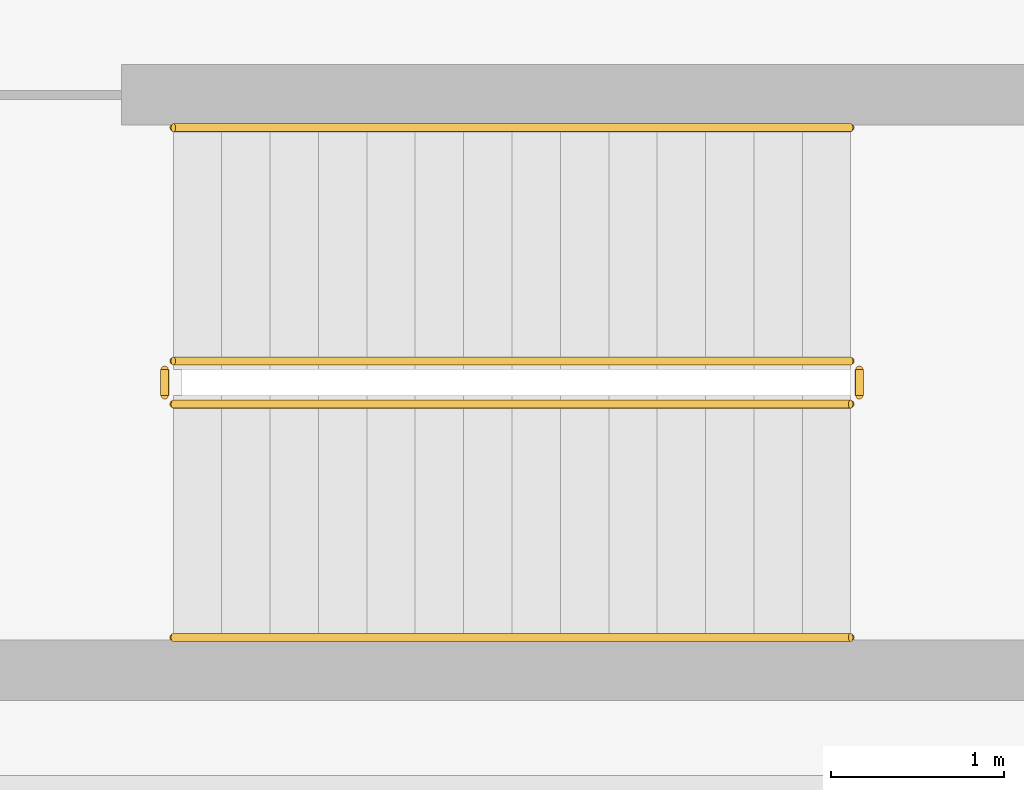
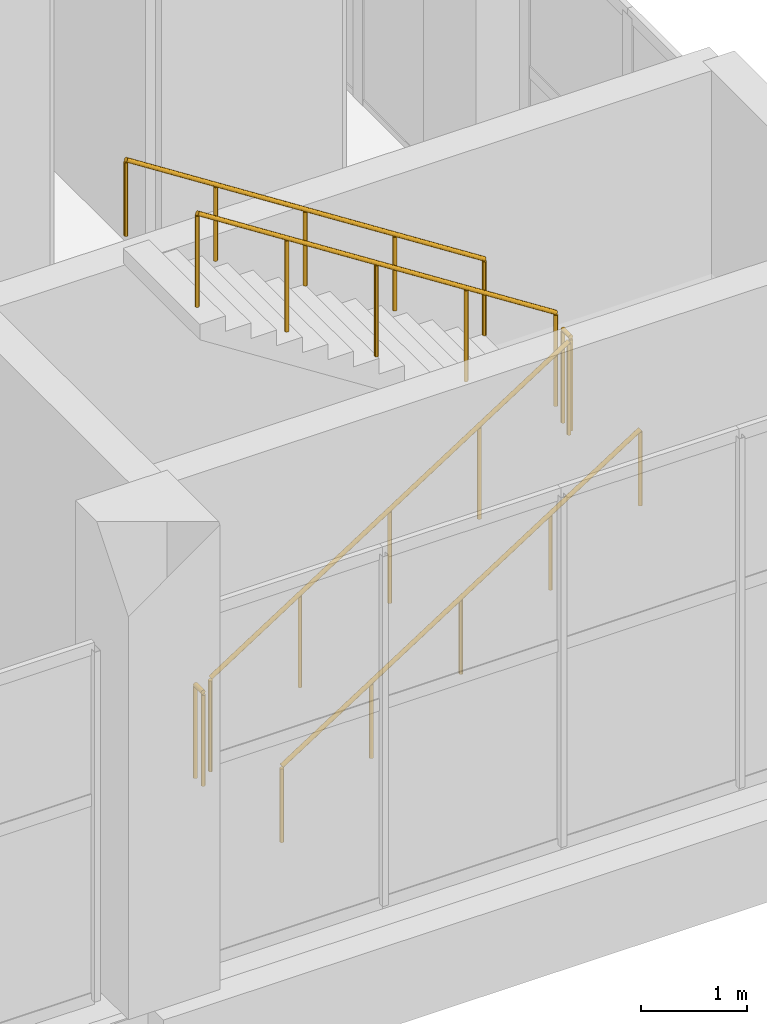
# One storey, part 141 of 147: 6 railings.
"""IFC4 building model written with IfcOpenShell, lengths in metres."""

from ifc_helpers import new_model, si_unit, direction, frame, origin, origin_2d, place, context, subcontext, project, spatial, circle, extrude, material, type_object, element, save


model = new_model("IFC4")

# Units and contexts
model_context = context("Model", 3, precision=1e-05, world=origin(), true_north=direction((0.0, 1.0)))
body_context = subcontext(model_context, "Body", "Model", "MODEL_VIEW")
ifc_project = project(units=[si_unit("LENGTHUNIT", "METRE"), si_unit("AREAUNIT", "SQUARE_METRE"), si_unit("VOLUMEUNIT", "CUBIC_METRE"), si_unit("PLANEANGLEUNIT", "RADIAN"), si_unit("MASSUNIT", "GRAM", prefix="KILO")], contexts=[model_context])

# Site, building, storey
site_placement = place(None, origin())
site = spatial("IfcSite", under=ifc_project, at=site_placement, CompositionType="ELEMENT")
building_placement = place(site_placement, origin())
building = spatial("IfcBuilding", under=site, at=building_placement, Name="Sundgate Opera House", CompositionType="ELEMENT")
storey_placement = place(building_placement, frame((0.0, 0.0, 6.0)))
storey = spatial("IfcBuildingStorey", under=building, at=storey_placement, Name="L01", CompositionType="ELEMENT", Elevation=6.0)

# Railings
ifc_material_1 = material(Name="Painted steel S275 guardrail", Category="steel")
railing_type_1 = type_object("IfcRailingType", Name="RL-STAIR-GUARD-1100", PredefinedType="GUARDRAIL", material=ifc_material_1)
railing_1_placement = place(storey_placement, frame((65.10009765625, 44.449951171875, 0.179931640625)))
element("IfcRailing", 1, at=railing_1_placement, inside=storey, type_object=railing_type_1, Name="ST03L01 Guardrail RL0102", PredefinedType="GUARDRAIL", context=body_context, shape_type="SweptSolid", body=[
    extrude(circle(Radius=0.02392578125, at=origin_2d()), frame((0.0, 0.0, 1.076171875), z_axis=(0.841171666519, 0.0, 0.540768182723), x_axis=(0.0, 1.0, 0.0)), (0.0, 0.0, 1.0), 4.66015625),
    extrude(circle(Radius=0.02099609375, at=origin_2d()), origin(), (0.0, 0.0, 1.0), 1.052001953125),
    extrude(circle(Radius=0.02099609375, at=origin_2d()), frame((0.97998046875, 0.0, 0.6298828125)), (0.0, 0.0, 1.0), 1.052001953125),
    extrude(circle(Radius=0.02099609375, at=origin_2d()), frame((1.9599609375, 0.0, 1.260009765625)), (0.0, 0.0, 1.0), 1.052001953125),
    extrude(circle(Radius=0.02099609375, at=origin_2d()), frame((2.93994140625, 0.0, 1.89013671875)), (0.0, 0.0, 1.0), 1.052001953125),
    extrude(circle(Radius=0.02099609375, at=origin_2d()), frame((3.919921875, 0.0, 2.52001953125)), (0.0, 0.0, 1.0), 1.052001953125),
])
railing_2_placement = place(storey_placement, frame((69.070068359375, 44.5, 2.699951171875)))
element("IfcRailing", 2, at=railing_2_placement, inside=storey, type_object=railing_type_1, Name="ST03L01 Guardrail RL0103", PredefinedType="GUARDRAIL", context=body_context, shape_type="SweptSolid", body=[
    extrude(circle(Radius=0.02392578125, at=origin_2d()), frame((0.0, 0.0, 1.076171875), z_axis=(0.0, 1.0, 0.0), x_axis=(-1.0, 0.0, 0.0)), (0.0, 0.0, 1.0), 0.14990234375),
    extrude(circle(Radius=0.02099609375, at=origin_2d()), origin(), (0.0, 0.0, 1.0), 1.052001953125),
    extrude(circle(Radius=0.02099609375, at=origin_2d()), frame((0.0, 0.14990234375, 0.0)), (0.0, 0.0, 1.0), 1.052001953125),
])
railing_3_placement = place(storey_placement, frame((69.02001953125, 44.699951171875, 2.8798828125)))
element("IfcRailing", 3, at=railing_3_placement, inside=storey, type_object=railing_type_1, Name="ST03L01 Guardrail RL0104", PredefinedType="GUARDRAIL", context=body_context, shape_type="SweptSolid", body=[
    extrude(circle(Radius=0.02392578125, at=origin_2d()), frame((0.0, 0.0, 1.076171875), z_axis=(-0.841171666519, 0.0, 0.540768182723), x_axis=(0.0, -1.0, 0.0)), (0.0, 0.0, 1.0), 4.66015625),
    extrude(circle(Radius=0.02099609375, at=origin_2d()), origin(), (0.0, 0.0, 1.0), 1.052001953125),
    extrude(circle(Radius=0.02099609375, at=origin_2d()), frame((-0.97998046875, 0.0, 0.6298828125)), (0.0, 0.0, 1.0), 1.052001953125),
    extrude(circle(Radius=0.02099609375, at=origin_2d()), frame((-1.9599609375, 0.0, 1.260009765625)), (0.0, 0.0, 1.0), 1.052001953125),
    extrude(circle(Radius=0.02099609375, at=origin_2d()), frame((-2.93994140625, 0.0, 1.89013671875)), (0.0, 0.0, 1.0), 1.052001953125),
    extrude(circle(Radius=0.02099609375, at=origin_2d()), frame((-3.919921875, 0.0, 2.52001953125)), (0.0, 0.0, 1.0), 1.052001953125),
])
railing_4_placement = place(storey_placement, frame((65.050048828125, 44.5, 0.0)))
element("IfcRailing", 4, at=railing_4_placement, inside=storey, type_object=railing_type_1, Name="ST03L01 Guardrail RL0105", PredefinedType="GUARDRAIL", context=body_context, shape_type="SweptSolid", body=[
    extrude(circle(Radius=0.02392578125, at=origin_2d()), frame((0.0, 0.0, 1.076171875), z_axis=(0.0, 1.0, 0.0), x_axis=(-1.0, 0.0, 0.0)), (0.0, 0.0, 1.0), 0.14990234375),
    extrude(circle(Radius=0.02099609375, at=origin_2d()), origin(), (0.0, 0.0, 1.0), 1.052001953125),
    extrude(circle(Radius=0.02099609375, at=origin_2d()), frame((0.0, 0.14990234375, 0.0)), (0.0, 0.0, 1.0), 1.052001953125),
])
ifc_material_2 = material(Name="Brushed stainless steel handrail", Category="steel")
railing_type_2 = type_object("IfcRailingType", Name="RL-STAIR-HAND-900", PredefinedType="HANDRAIL", material=ifc_material_2)
railing_5_placement = place(storey_placement, frame((65.10009765625, 43.10009765625, 0.179931640625)))
element("IfcRailing", 5, at=railing_5_placement, inside=storey, type_object=railing_type_2, Name="ST03L01 Handrail RL0106", PredefinedType="HANDRAIL", context=body_context, shape_type="SweptSolid", body=[
    extrude(circle(Radius=0.02392578125, at=origin_2d()), frame((0.0, 0.0, 0.8759765625), z_axis=(0.841171666519, 0.0, 0.540768182723), x_axis=(0.0, 1.0, 0.0)), (0.0, 0.0, 1.0), 4.66015625),
    extrude(circle(Radius=0.02099609375, at=origin_2d()), origin(), (0.0, 0.0, 1.0), 0.851806640625),
    extrude(circle(Radius=0.02099609375, at=origin_2d()), frame((0.97998046875, 0.0, 0.6298828125)), (0.0, 0.0, 1.0), 0.851806640625),
    extrude(circle(Radius=0.02099609375, at=origin_2d()), frame((1.9599609375, 0.0, 1.260009765625)), (0.0, 0.0, 1.0), 0.851806640625),
    extrude(circle(Radius=0.02099609375, at=origin_2d()), frame((2.93994140625, 0.0, 1.89013671875)), (0.0, 0.0, 1.0), 0.851806640625),
    extrude(circle(Radius=0.02099609375, at=origin_2d()), frame((3.919921875, 0.0, 2.52001953125)), (0.0, 0.0, 1.0), 0.851806640625),
])
railing_6_placement = place(storey_placement, frame((69.02001953125, 46.050048828125, 2.8798828125)))
element("IfcRailing", 6, at=railing_6_placement, inside=storey, type_object=railing_type_2, Name="ST03L01 Handrail RL0107", PredefinedType="HANDRAIL", context=body_context, shape_type="SweptSolid", body=[
    extrude(circle(Radius=0.02392578125, at=origin_2d()), frame((0.0, 0.0, 0.8759765625), z_axis=(-0.841171666519, 0.0, 0.540768182723), x_axis=(0.0, -1.0, 0.0)), (0.0, 0.0, 1.0), 4.66015625),
    extrude(circle(Radius=0.02099609375, at=origin_2d()), origin(), (0.0, 0.0, 1.0), 0.851806640625),
    extrude(circle(Radius=0.02099609375, at=origin_2d()), frame((-0.97998046875, 0.0, 0.6298828125)), (0.0, 0.0, 1.0), 0.851806640625),
    extrude(circle(Radius=0.02099609375, at=origin_2d()), frame((-1.9599609375, 0.0, 1.260009765625)), (0.0, 0.0, 1.0), 0.851806640625),
    extrude(circle(Radius=0.02099609375, at=origin_2d()), frame((-2.93994140625, 0.0, 1.89013671875)), (0.0, 0.0, 1.0), 0.851806640625),
    extrude(circle(Radius=0.02099609375, at=origin_2d()), frame((-3.919921875, 0.0, 2.52001953125)), (0.0, 0.0, 1.0), 0.851806640625),
])

save(model, "model.ifc")
